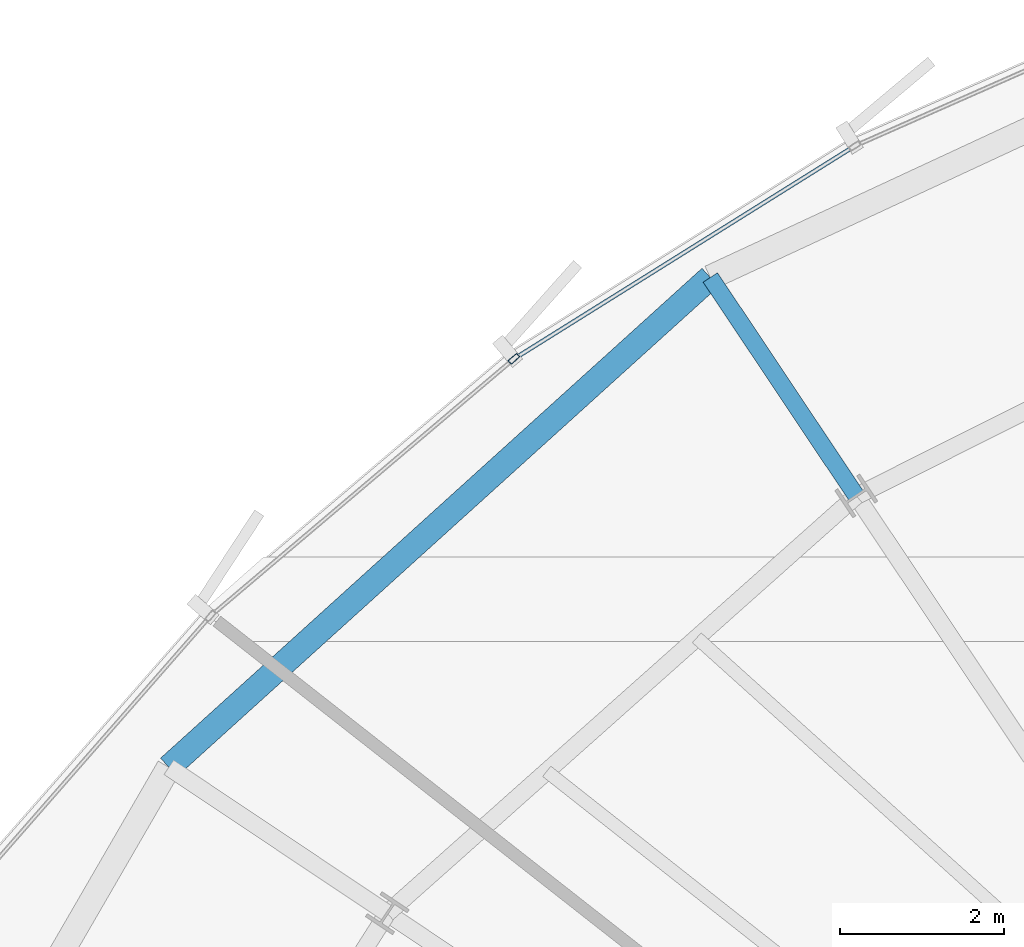
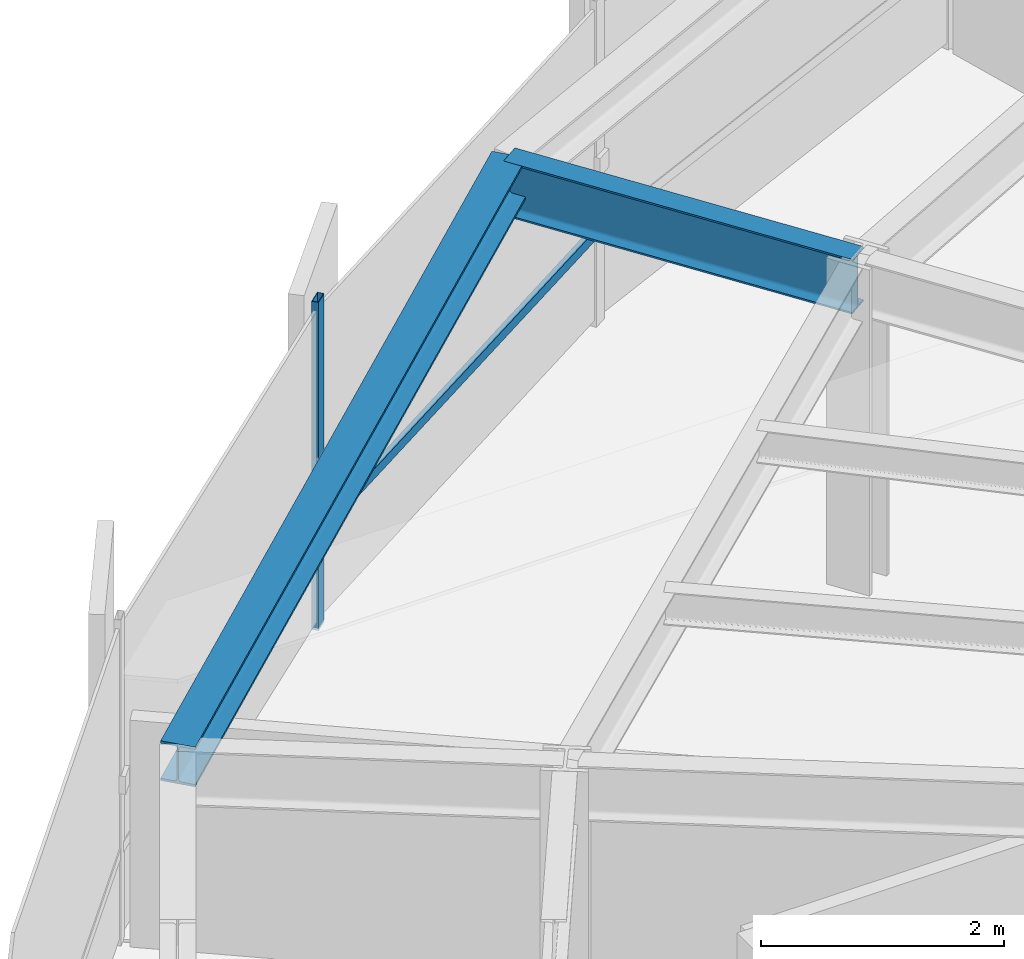
# One storey, part 19 of 35: 2 beams, 2 members, 1 element without a shape of its own.
"""IFC4 building model written with IfcOpenShell, lengths in metres."""

from ifc_helpers import new_model, si_unit, direction, frame, origin, origin_2d, place, context, subcontext, project, spatial, hollow_rectangle, i_section, extrude, source, transform, mapped, material, layer, layer_set, material_profile, profile_set, type_object, element, aggregate, save


model = new_model("IFC4")

# Units and contexts
model_context = context("Model", 3, precision=1e-05, world=origin(), true_north=direction((0.0, 1.0)))
body_context = subcontext(model_context, "Body", "Model", "MODEL_VIEW")
ifc_project = project(units=[si_unit("LENGTHUNIT", "METRE"), si_unit("AREAUNIT", "SQUARE_METRE"), si_unit("VOLUMEUNIT", "CUBIC_METRE"), si_unit("PLANEANGLEUNIT", "RADIAN"), si_unit("MASSUNIT", "GRAM", prefix="KILO"), si_unit("THERMODYNAMICTEMPERATUREUNIT", "KELVIN")], contexts=[model_context])

# Site, building, storey
site_placement = place(None, origin())
site = spatial("IfcSite", under=ifc_project, at=site_placement, CompositionType="ELEMENT")
building_placement = place(site_placement, origin())
building = spatial("IfcBuilding", under=site, at=building_placement, Name="Kethvar Cultural Tower", CompositionType="ELEMENT")
storey_placement = place(building_placement, frame((0.0, 0.0, 146.550048828125)))
storey = spatial("IfcBuildingStorey", under=building, at=storey_placement, Name="L37", CompositionType="ELEMENT", Elevation=146.550048828125)

# Beams
ifc_material_1 = material(Name="Steel S355J2", Category="steel")
ifc_material_profile_1 = material_profile(ifc_material_1, i_section(OverallWidth=0.2099609375, OverallDepth=0.550048828125, WebThickness=0.010986328125, FlangeThickness=0.01708984375, FilletRadius=0.02392578125, at=origin_2d()), Name="Steel S355J2 — IPE550")
ifc_profile_set_1 = profile_set([ifc_material_profile_1], Name="Steel S355J2 — IPE550")
beam_type_1 = type_object("IfcBeamType", Name="BM-IPE550", PredefinedType="BEAM", material=ifc_profile_set_1)
shared_shape_1 = source(origin(), body_context, "Body", "SweptSolid", [
    extrude(i_section(OverallWidth=0.2099609375, OverallDepth=0.550048828125, WebThickness=0.010986328125, FlangeThickness=0.01708984375, FilletRadius=0.02392578125, at=origin_2d()), origin(), (0.0, 0.0, 1.0), 3.2001953125),
])
beam_1_placement = place(storey_placement, frame((36.0576171875, 43.877197265625, 3.02294921875), z_axis=(-0.555544970406, 0.831486491686, 0.0), x_axis=(-0.831486491686, -0.555544970406, 0.0)))
element("IfcBeam", 1, at=beam_1_placement, inside=storey, type_object=beam_type_1, Name="L37 Perimeter Cantilever Beam RC-06", PredefinedType="BEAM", context=body_context, shape_type="MappedRepresentation", body=[
    mapped(shared_shape_1, transform((0.0, 0.0, 0.0), scale=1.0)),
])
ifc_material_profile_2 = material_profile(ifc_material_1, i_section(OverallWidth=0.300048828125, OverallDepth=0.39990234375, WebThickness=0.013427734375, FlangeThickness=0.02392578125, FilletRadius=0.027099609375, at=origin_2d()), Name="Steel S355J2 — HEB400")
ifc_profile_set_2 = profile_set([ifc_material_profile_2], Name="Steel S355J2 — HEB400")
beam_type_2 = type_object("IfcBeamType", Name="BM-SP400", PredefinedType="SPANDREL", material=ifc_profile_set_2)
shared_shape_2 = source(origin(), body_context, "Body", "SweptSolid", [
    extrude(i_section(OverallWidth=0.300048828125, OverallDepth=0.39990234375, WebThickness=0.013427734375, FlangeThickness=0.02392578125, FilletRadius=0.027099609375, at=origin_2d()), origin(), (0.0, 0.0, 1.0), 8.892822265625),
])
beam_2_placement = place(storey_placement, frame((34.27978515625, 46.5380859375, 3.097900390625), z_axis=(-0.741556591679, -0.670890319901, 0.0), x_axis=(0.670890319901, -0.741556591679, 0.0)))
element("IfcBeam", 2, at=beam_2_placement, inside=storey, type_object=beam_type_2, Name="L37 Perimeter Spandrel Beam SP-06", PredefinedType="SPANDREL", context=body_context, shape_type="MappedRepresentation", body=[
    mapped(shared_shape_2, transform((0.0, 0.0, 0.0), scale=1.0)),
])

# Curtain wall, members
ifc_material_2 = material(Name="Aluminium 6063-T6", Category="aluminium")
ifc_layer = layer(ifc_material_2, 0.179931640625, Name="Aluminium 6063-T6", Category="aluminium")
ifc_layer_set = layer_set([ifc_layer], Name="Aluminium 6063-T6 (180 mm)")
curtain_wall_type = type_object("IfcCurtainWallType", Name="CW-SYS-04-Z34", PredefinedType="NOTDEFINED", material=ifc_layer_set)
curtain_wall_placement = place(storey_placement, origin())
curtain_wall = element("IfcCurtainWall", 3, at=curtain_wall_placement, inside=storey, type_object=curtain_wall_type, Name="L37 Curtain Wall Run 02", PredefinedType="NOTDEFINED")
ifc_material_profile_3 = material_profile(ifc_material_2, hollow_rectangle(XDim=0.06005859375, YDim=0.139892578125, WallThickness=0.0048828125, at=origin_2d()), Name="Aluminium 6063-T6 — RHS140x60x5")
ifc_profile_set_3 = profile_set([ifc_material_profile_3], Name="Aluminium 6063-T6 — RHS140x60x5")
member_type_1 = type_object("IfcMemberType", Name="CW-SYS-04-Z34-MUL", PredefinedType="MULLION", material=ifc_profile_set_3)
shared_shape_3 = source(origin(), body_context, "Body", "SweptSolid", [
    extrude(hollow_rectangle(XDim=0.06005859375, YDim=0.139892578125, WallThickness=0.0048828125, at=origin_2d()), origin(), (0.0, 0.0, 1.0), 3.300048828125),
])
member_1_placement = place(storey_placement, frame((31.888427734375, 45.547119140625, 0.0), z_axis=(0.0, 0.0, 1.0), x_axis=(0.646630032444, -0.762803776302, 0.0)))
member_1 = element("IfcMember", 4, at=member_1_placement, type_object=member_type_1, Name="CW-L37-R02 Mullion 5", PredefinedType="MULLION", context=body_context, shape_type="MappedRepresentation", body=[
    mapped(shared_shape_3, transform((0.0, 0.0, 0.0), scale=1.0)),
])
ifc_material_profile_4 = material_profile(ifc_material_2, hollow_rectangle(XDim=0.050048828125, YDim=0.10009765625, WallThickness=0.00390625, at=origin_2d()), Name="Aluminium 6063-T6 — RHS100x50x4")
ifc_profile_set_4 = profile_set([ifc_material_profile_4], Name="Aluminium 6063-T6 — RHS100x50x4")
member_type_2 = type_object("IfcMemberType", Name="CW-SYS-04-Z34-TRN", PredefinedType="USERDEFINED", material=ifc_profile_set_4)
shared_shape_4 = source(origin(), body_context, "Body", "SweptSolid", [
    extrude(hollow_rectangle(XDim=0.050048828125, YDim=0.10009765625, WallThickness=0.00390625, at=origin_2d()), origin(), (0.0, 0.0, 1.0), 4.823486328125),
])
member_2_placement = place(storey_placement, frame((36.0029296875, 48.11669921875, 0.949951171875), z_axis=(-0.848040953676, -0.529930694419, 0.0), x_axis=(0.529930694419, -0.848040953676, 0.0)))
member_2 = element("IfcMember", 5, at=member_2_placement, type_object=member_type_2, Name="CW-L37-R02 Transom 4", ObjectType="TRANSOM", PredefinedType="USERDEFINED", context=body_context, shape_type="MappedRepresentation", body=[
    mapped(shared_shape_4, transform((0.0, 0.0, 0.0), scale=1.0)),
])
aggregate(curtain_wall, [member_1, member_2])

save(model, "model.ifc")
